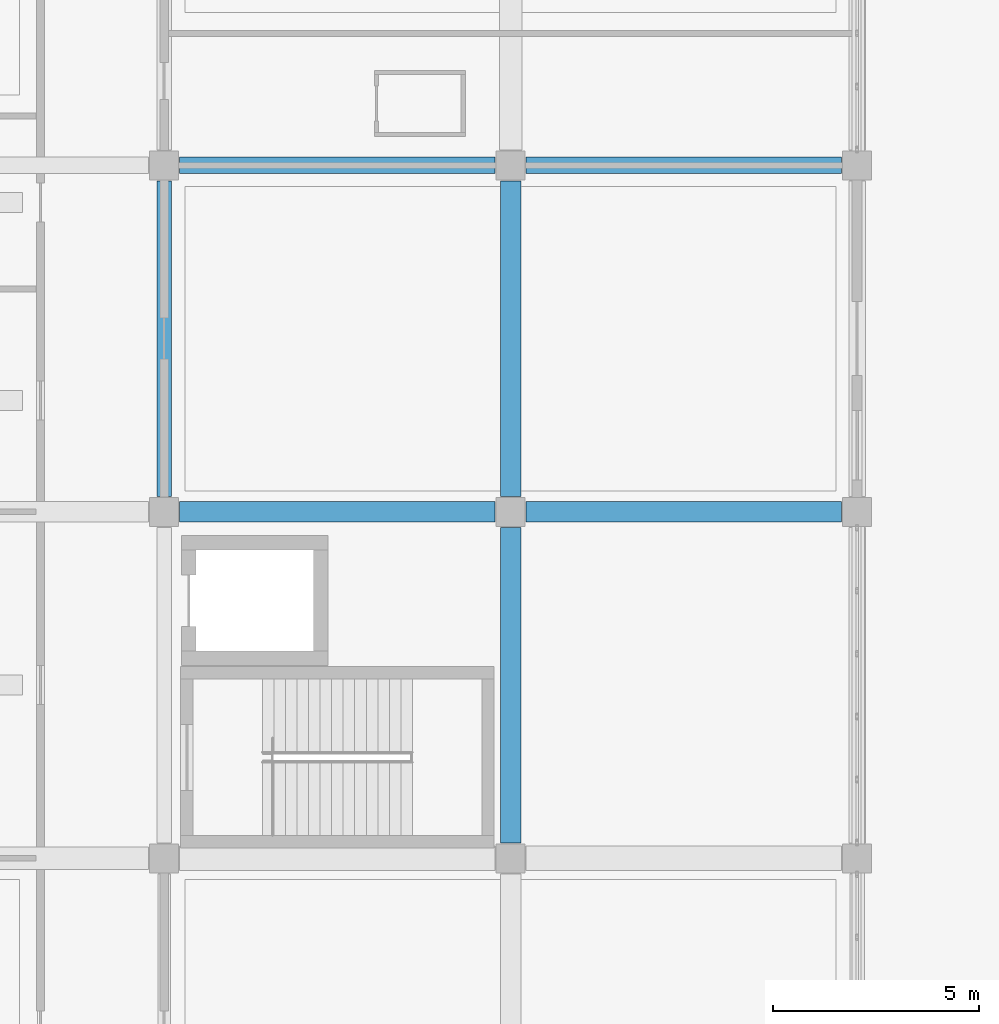
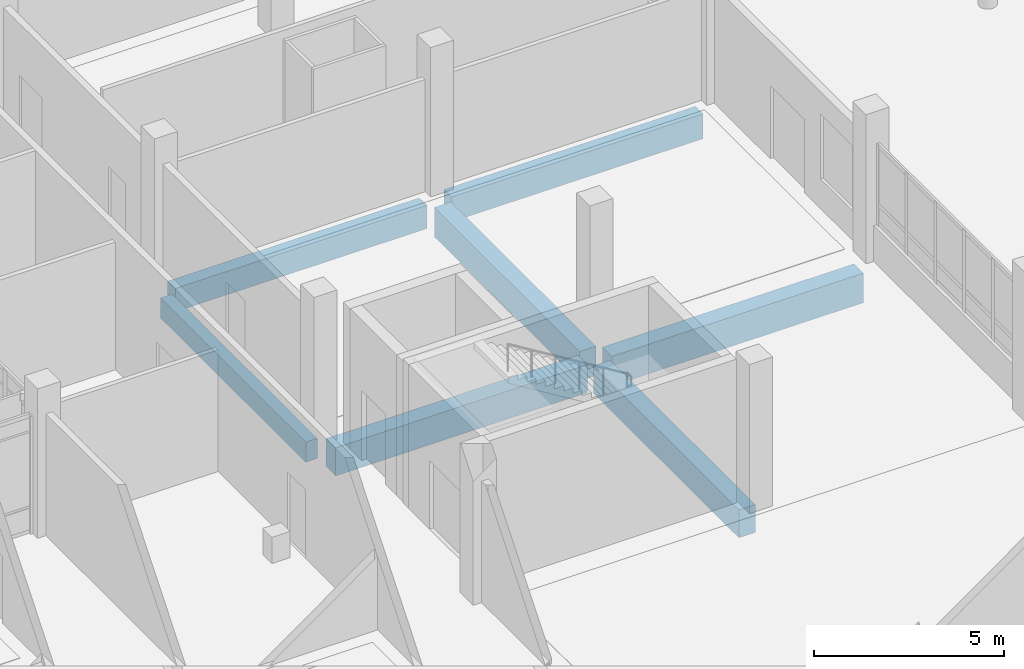
# One storey, part 17 of 95: 7 beams.
"""IFC4 building model written with IfcOpenShell, lengths in metres."""

from ifc_helpers import new_model, si_unit, direction, frame, origin, origin_2d, place, context, subcontext, project, spatial, rectangle, extrude, material, material_profile, profile_set, type_object, element, save


model = new_model("IFC4")

# Units and contexts
model_context = context("Model", 3, precision=1e-05, world=origin(), true_north=direction((0.0, 1.0)))
body_context = subcontext(model_context, "Body", "Model", "MODEL_VIEW")
ifc_project = project(units=[si_unit("LENGTHUNIT", "METRE"), si_unit("AREAUNIT", "SQUARE_METRE"), si_unit("VOLUMEUNIT", "CUBIC_METRE"), si_unit("PLANEANGLEUNIT", "RADIAN"), si_unit("MASSUNIT", "GRAM", prefix="KILO")], contexts=[model_context])

# Site, building, storey
site_placement = place(None, origin())
site = spatial("IfcSite", under=ifc_project, at=site_placement, CompositionType="ELEMENT")
building_placement = place(site_placement, origin())
building = spatial("IfcBuilding", under=site, at=building_placement, Name="Vireocrest Preparatory School", CompositionType="ELEMENT")
storey_placement = place(building_placement, origin())
storey = spatial("IfcBuildingStorey", under=building, at=storey_placement, Name="L00", CompositionType="ELEMENT", Elevation=0.0)

# Beams
ifc_material = material(Name="Concrete 40 MPa", Category="concrete")
ifc_material_profile_1 = material_profile(ifc_material, rectangle(XDim=0.5, YDim=0.949951171875, at=origin_2d()), Name="RC 500x950")
ifc_profile_set_1 = profile_set([ifc_material_profile_1], Name="Concrete 40 MPa")
beam_type_1 = type_object("IfcBeamType", Name="RC Basement Ceiling Girder 500x950", PredefinedType="BEAM", material=ifc_profile_set_1)
beam_1_placement = place(storey_placement, frame((59.175048828125, 52.199951171875, -0.824951171875), z_axis=(1.0, 0.0, 0.0), x_axis=(0.0, 1.0, 0.0)))
element("IfcBeam", 1, at=beam_1_placement, inside=storey, type_object=beam_type_1, Name="Primary Girder B16 L00-0068", PredefinedType="BEAM", context=body_context, shape_type="SweptSolid", body=[
    extrude(rectangle(XDim=0.5, YDim=0.949951171875, at=origin_2d()), origin(), (0.0, 0.0, 1.0), 7.64990234375),
])
beam_2_placement = place(storey_placement, frame((58.800048828125, 52.574951171875, -0.824951171875), z_axis=(0.0, 1.0, 0.0), x_axis=(-1.0, 0.0, 0.0)))
element("IfcBeam", 2, at=beam_2_placement, inside=storey, type_object=beam_type_1, Name="Primary Girder B16 L00-0171", PredefinedType="BEAM", context=body_context, shape_type="SweptSolid", body=[
    extrude(rectangle(XDim=0.5, YDim=0.949951171875, at=origin_2d()), origin(), (0.0, 0.0, 1.0), 7.650146484375),
])
ifc_material_profile_2 = material_profile(ifc_material, rectangle(XDim=0.35009765625, YDim=0.64990234375, at=origin_2d()), Name="RC 350x650")
ifc_profile_set_2 = profile_set([ifc_material_profile_2], Name="Concrete 40 MPa")
beam_type_2 = type_object("IfcBeamType", Name="RC Classroom Girder 350x650", PredefinedType="BEAM", material=ifc_profile_set_2)
beam_3_placement = place(storey_placement, frame((50.39990234375, 52.574951171875, -0.675048828125), z_axis=(0.0, 1.0, 0.0), x_axis=(-1.0, 0.0, 0.0)))
element("IfcBeam", 3, at=beam_3_placement, inside=storey, type_object=beam_type_2, Name="Primary Girder B05 L00-0160", PredefinedType="BEAM", context=body_context, shape_type="SweptSolid", body=[
    extrude(rectangle(XDim=0.35009765625, YDim=0.64990234375, at=origin_2d()), origin(), (0.0, 0.0, 1.0), 7.650146484375),
])
ifc_material_profile_3 = material_profile(ifc_material, rectangle(XDim=0.39990234375, YDim=0.75, at=origin_2d()), Name="RC 400x750")
ifc_profile_set_3 = profile_set([ifc_material_profile_3], Name="Concrete 40 MPa")
beam_type_3 = type_object("IfcBeamType", Name="RC Commons Girder 400x750", PredefinedType="BEAM", material=ifc_profile_set_3)
beam_4_placement = place(storey_placement, frame((50.77490234375, 60.60009765625, -0.72509765625), z_axis=(1.0, 0.0, 0.0), x_axis=(0.0, 1.0, 0.0)))
element("IfcBeam", 4, at=beam_4_placement, inside=storey, type_object=beam_type_3, Name="Primary Girder B09 L00-0079", PredefinedType="BEAM", context=body_context, shape_type="SweptSolid", body=[
    extrude(rectangle(XDim=0.39990234375, YDim=0.75, at=origin_2d()), origin(), (0.0, 0.0, 1.0), 7.650146484375),
])
ifc_material_profile_4 = material_profile(ifc_material, rectangle(XDim=0.39990234375, YDim=0.800048828125, at=origin_2d()), Name="RC 400x800")
ifc_profile_set_4 = profile_set([ifc_material_profile_4], Name="Concrete 40 MPa")
beam_type_4 = type_object("IfcBeamType", Name="RC Library Reading Girder 400x800", PredefinedType="BEAM", material=ifc_profile_set_4)
beam_5_placement = place(storey_placement, frame((59.175048828125, 60.60009765625, -0.75), z_axis=(1.0, 0.0, 0.0), x_axis=(0.0, 1.0, 0.0)))
element("IfcBeam", 5, at=beam_5_placement, inside=storey, type_object=beam_type_4, Name="Primary Girder B10 L00-0080", PredefinedType="BEAM", context=body_context, shape_type="SweptSolid", body=[
    extrude(rectangle(XDim=0.39990234375, YDim=0.800048828125, at=origin_2d()), origin(), (0.0, 0.0, 1.0), 7.64990234375),
])
ifc_material_profile_5 = material_profile(ifc_material, rectangle(XDim=0.5, YDim=0.89990234375, at=origin_2d()), Name="RC 500x900")
ifc_profile_set_5 = profile_set([ifc_material_profile_5], Name="Concrete 40 MPa")
beam_type_5 = type_object("IfcBeamType", Name="RC Podium Girder 500x900", PredefinedType="BEAM", material=ifc_profile_set_5)
beam_6_placement = place(storey_placement, frame((50.77490234375, 52.199951171875, -0.800048828125), z_axis=(1.0, 0.0, 0.0), x_axis=(0.0, 1.0, 0.0)))
element("IfcBeam", 6, at=beam_6_placement, inside=storey, type_object=beam_type_5, Name="Primary Girder B15 L00-0067", PredefinedType="BEAM", context=body_context, shape_type="SweptSolid", body=[
    extrude(rectangle(XDim=0.5, YDim=0.89990234375, at=origin_2d()), origin(), (0.0, 0.0, 1.0), 7.650146484375),
])
beam_7_placement = place(storey_placement, frame((58.800048828125, 44.175048828125, -0.800048828125), z_axis=(0.0, 1.0, 0.0), x_axis=(-1.0, 0.0, 0.0)))
element("IfcBeam", 7, at=beam_7_placement, inside=storey, type_object=beam_type_5, Name="Primary Girder B15 L00-0170", PredefinedType="BEAM", context=body_context, shape_type="SweptSolid", body=[
    extrude(rectangle(XDim=0.5, YDim=0.89990234375, at=origin_2d()), origin(), (0.0, 0.0, 1.0), 7.64990234375),
])

save(model, "model.ifc")
